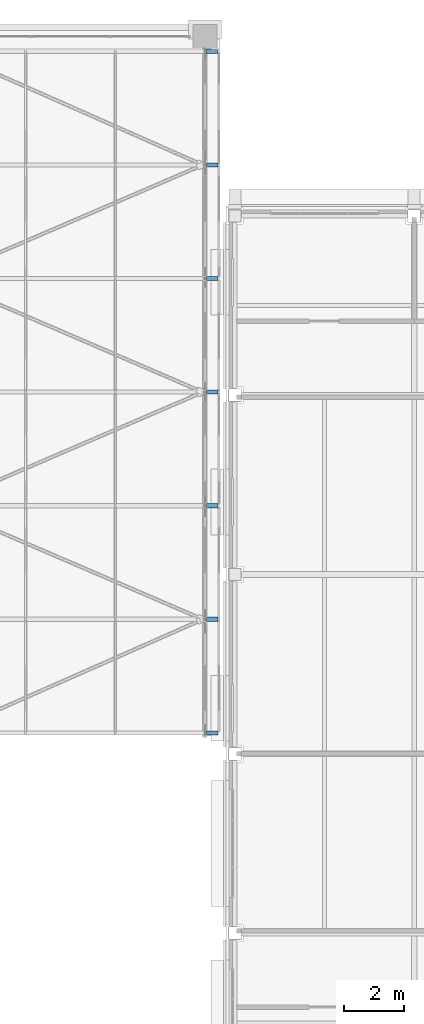
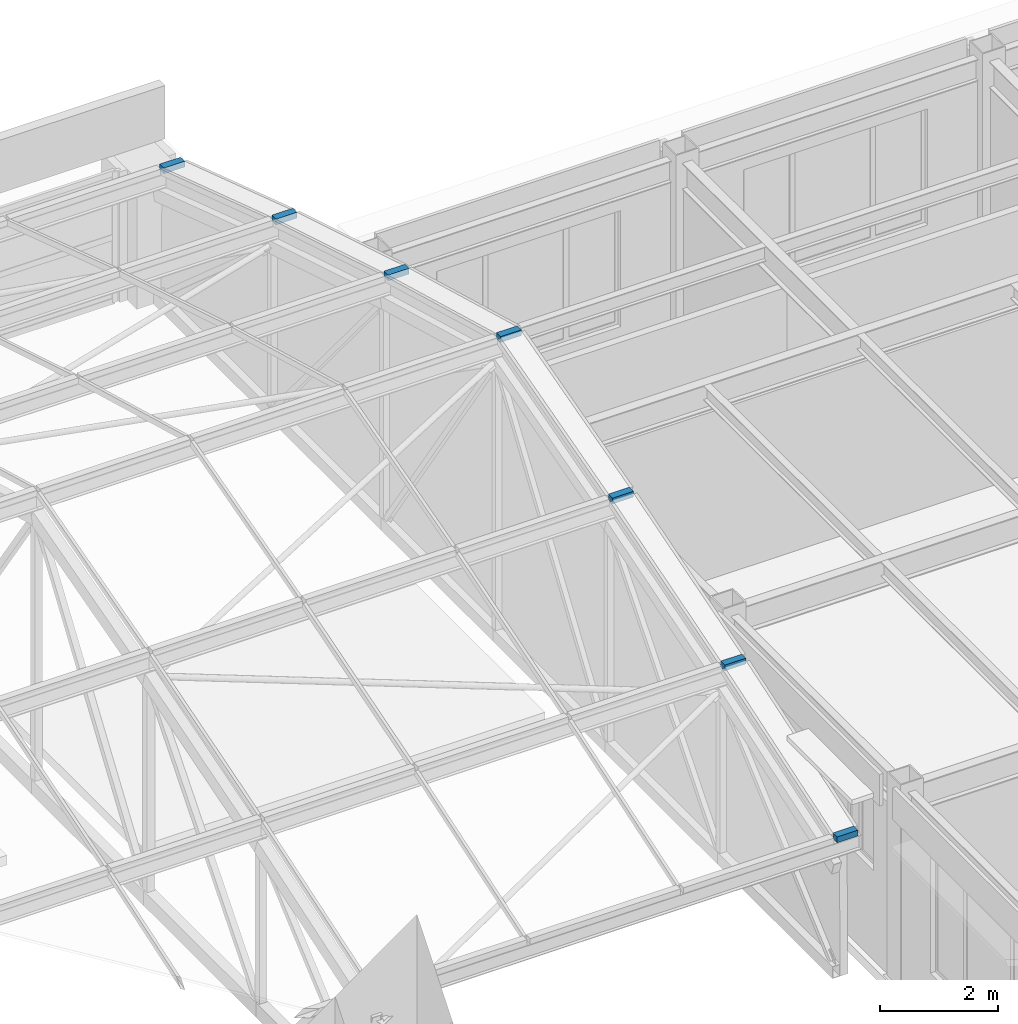
# One storey, part 45 of 82: 7 members.
"""IFC4 building model written with IfcOpenShell, lengths in metres."""

from ifc_helpers import new_model, si_unit, direction, frame, origin, origin_2d, place, context, subcontext, project, spatial, rectangle, extrude, material, material_profile, profile_set, type_object, element, save


model = new_model("IFC4")

# Units and contexts
model_context = context("Model", 3, precision=1e-05, world=origin(), true_north=direction((0.0, 1.0)))
body_context = subcontext(model_context, "Body", "Model", "MODEL_VIEW")
ifc_project = project(units=[si_unit("LENGTHUNIT", "METRE"), si_unit("AREAUNIT", "SQUARE_METRE"), si_unit("VOLUMEUNIT", "CUBIC_METRE"), si_unit("PLANEANGLEUNIT", "RADIAN"), si_unit("MASSUNIT", "GRAM", prefix="KILO")], contexts=[model_context])

# Site, building, storey
site_placement = place(None, origin())
site = spatial("IfcSite", under=ifc_project, at=site_placement, CompositionType="ELEMENT")
building_placement = place(site_placement, origin())
building = spatial("IfcBuilding", under=site, at=building_placement, Name="Aravalli Gate Trade Fair Centre", CompositionType="ELEMENT")
storey_placement = place(building_placement, frame((0.0, 0.0, 19.199951171875)))
storey = spatial("IfcBuildingStorey", under=building, at=storey_placement, Name="L04", CompositionType="ELEMENT", Elevation=19.199951171875)

# Members
ifc_material = material(Name="Aluminium", Category="aluminium")
ifc_material_profile = material_profile(ifc_material, rectangle(XDim=0.139892578125, YDim=0.1201171875, at=origin_2d()), Name="Vault fold cap 140 x 120")
ifc_profile_set = profile_set([ifc_material_profile], Name="Aluminium")
member_type = type_object("IfcMemberType", Name="Vault fold cap 140 x 120", PredefinedType="USERDEFINED", material=ifc_profile_set)
for number, where, z_axis, x_axis, name in (
    (1, (159.030029296875, 109.699951171875, 2.81298828125), (1.0, 0.0, 0.0), (0.0, 1.0, 0.0), "Vault fold cap e20.0"),
    (2, (159.030029296875, 113.5, 4.061279296875), (1.0, 0.0, 0.0), (0.0, 1.0, 0.0), "Vault fold cap e20.1"),
    (3, (159.030029296875, 117.300048828125, 5.209228515625), (1.0, 0.0, 0.0), (0.0, 1.0, 0.0), "Vault fold cap e20.2"),
    (4, (159.030029296875, 121.10009765625, 6.239990234375), (1.0, 0.0, 0.0), (0.0, 1.0, 0.0), "Vault fold cap e20.3"),
    (5, (159.030029296875, 124.89990234375, 5.209228515625), (1.0, 0.0, 0.0), (0.0, 1.0, 0.0), "Vault fold cap e20.4"),
    (6, (159.030029296875, 128.699951171875, 4.061279296875), (1.0, 0.0, 0.0), (0.0, 1.0, 0.0), "Vault fold cap e20.5"),
    (7, (159.030029296875, 132.5, 2.81298828125), (1.0, 0.0, 0.0), (0.0, 1.0, 0.0), "Vault fold cap e20.6"),
):
    element("IfcMember", number, at=place(storey_placement, frame(where, z_axis=z_axis, x_axis=x_axis)), inside=storey, type_object=member_type, Name=name, ObjectType="FOLD CAP", PredefinedType="USERDEFINED", context=body_context, shape_type="SweptSolid", body=[
        extrude(rectangle(XDim=0.139892578125, YDim=0.1201171875, at=origin_2d()), origin(), (0.0, 0.0, 1.0), 0.409912109375),
    ])

save(model, "model.ifc")
